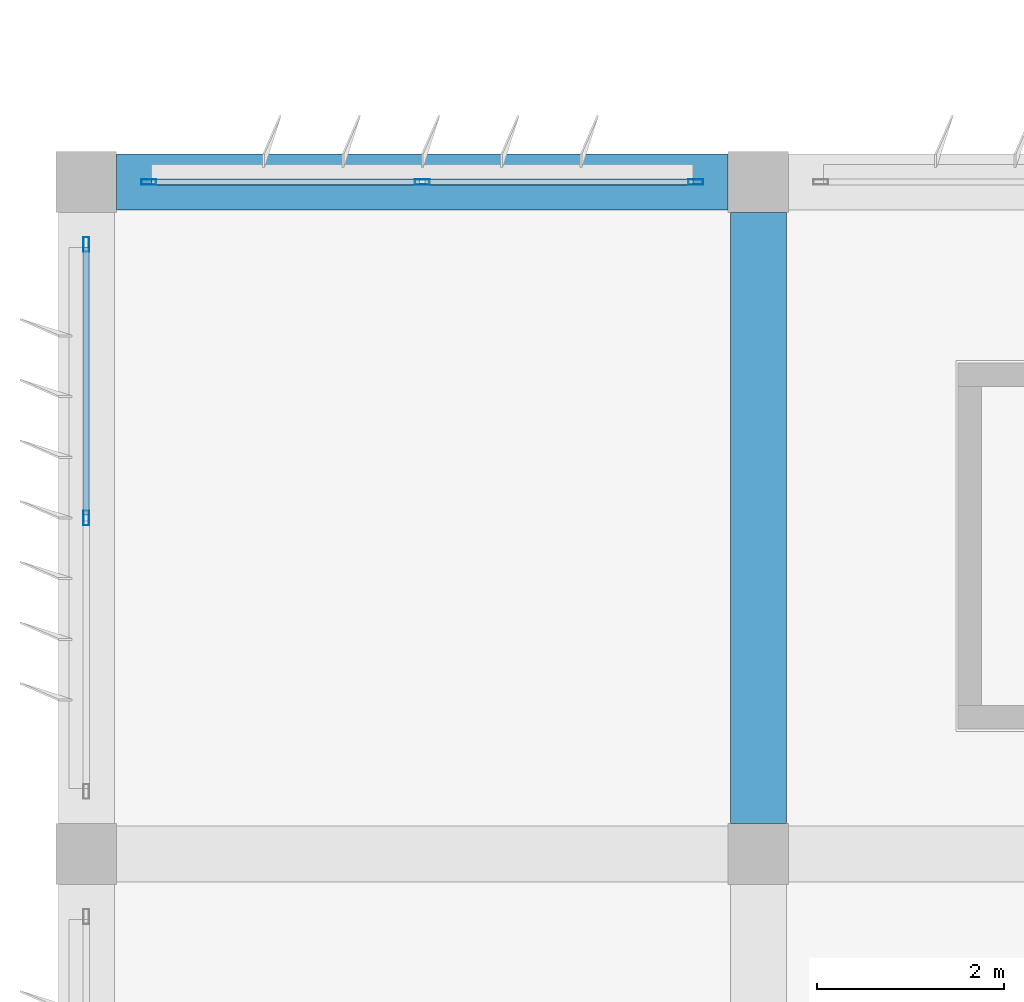
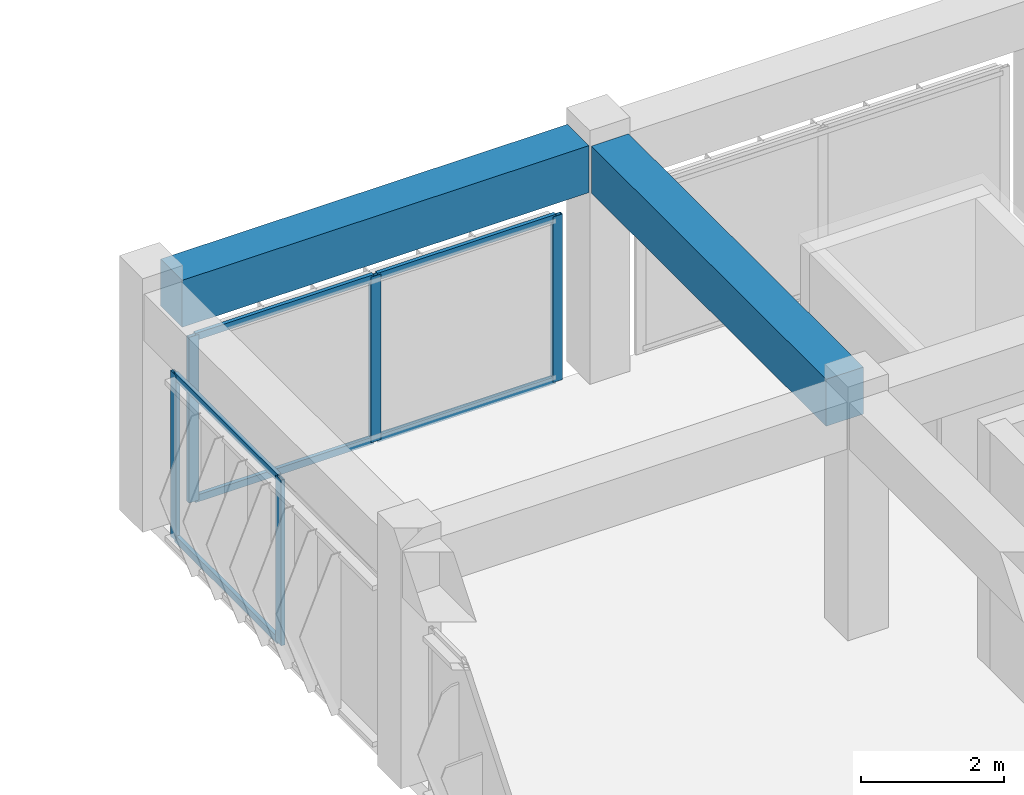
# One storey, part 12 of 53: 11 members, 2 beams, 2 elements without a shape of their own.
"""IFC4 building model written with IfcOpenShell, lengths in metres."""

from ifc_helpers import new_model, si_unit, direction, frame, origin, origin_2d, place, context, subcontext, project, spatial, rectangle, hollow_rectangle, extrude, material, material_profile, profile_set, type_object, element, aggregate, save


model = new_model("IFC4")

# Units and contexts
model_context = context("Model", 3, precision=1e-05, world=origin(), true_north=direction((0.0, 1.0)))
body_context = subcontext(model_context, "Body", "Model", "MODEL_VIEW")
ifc_project = project(units=[si_unit("LENGTHUNIT", "METRE"), si_unit("AREAUNIT", "SQUARE_METRE"), si_unit("VOLUMEUNIT", "CUBIC_METRE"), si_unit("PLANEANGLEUNIT", "RADIAN"), si_unit("MASSUNIT", "GRAM", prefix="KILO")], contexts=[model_context])

# Site, building, storey
site_placement = place(None, origin())
site = spatial("IfcSite", under=ifc_project, at=site_placement, CompositionType="ELEMENT")
building_placement = place(site_placement, origin())
building = spatial("IfcBuilding", under=site, at=building_placement, Name="Kazehaya Institute of Natural Sciences", CompositionType="ELEMENT")
storey_placement = place(building_placement, frame((0.0, 0.0, 33.300048828125)))
storey = spatial("IfcBuildingStorey", under=building, at=storey_placement, Name="L07", CompositionType="ELEMENT", Elevation=33.300048828125)

# Beams
ifc_material_1 = material(Name="Concrete Fc36", Category="concrete")
ifc_material_profile_1 = material_profile(ifc_material_1, rectangle(XDim=0.60009765625, YDim=0.800048828125, at=origin_2d()), Name="RC-600x800")
ifc_profile_set_1 = profile_set([ifc_material_profile_1], Name="Concrete Fc36")
beam_type = type_object("IfcBeamType", Name="BM-G-600x800", PredefinedType="BEAM", material=ifc_profile_set_1)
beam_1_placement = place(storey_placement, frame((54.925048828125, 35.60009765625, 3.64990234375), z_axis=(1.0, 0.0, 0.0), x_axis=(0.0, 1.0, 0.0)))
element("IfcBeam", 1, at=beam_1_placement, inside=storey, type_object=beam_type, Name="L07 primary X girder BMX-L07-546-356", PredefinedType="BEAM", context=body_context, shape_type="SweptSolid", body=[
    extrude(rectangle(XDim=0.60009765625, YDim=0.800048828125, at=origin_2d()), origin(), (0.0, 0.0, 1.0), 6.550048828125),
])
beam_2_placement = place(storey_placement, frame((61.800048828125, 28.72509765625, 3.64990234375), z_axis=(0.0, 1.0, 0.0), x_axis=(-1.0, 0.0, 0.0)))
element("IfcBeam", 2, at=beam_2_placement, inside=storey, type_object=beam_type, Name="L07 primary Y girder BMY-L07-618-284", PredefinedType="BEAM", context=body_context, shape_type="SweptSolid", body=[
    extrude(rectangle(XDim=0.60009765625, YDim=0.800048828125, at=origin_2d()), origin(), (0.0, 0.0, 1.0), 6.5498046875),
])

# Curtain wall, members
ifc_material_2 = material(Name="Aluminium alloy A6063S-T5", Category="aluminium")
curtain_wall_type_1 = type_object("IfcCurtainWallType", Name="CW-SYS-05", PredefinedType="NOTDEFINED", material=ifc_material_2)
curtain_wall_1_placement = place(storey_placement, origin())
curtain_wall_1 = element("IfcCurtainWall", 3, at=curtain_wall_1_placement, inside=storey, type_object=curtain_wall_type_1, Name="L07 unitised curtain wall CW-L07-157", PredefinedType="NOTDEFINED")
ifc_material_profile_2 = material_profile(ifc_material_2, hollow_rectangle(XDim=0.06005859375, YDim=0.159912109375, WallThickness=0.00390625, at=origin_2d()), Name="ALU-60x160x4")
ifc_profile_set_2 = profile_set([ifc_material_profile_2], Name="Aluminium alloy A6063S-T5")
member_type_1 = type_object("IfcMemberType", Name="CWM-160", PredefinedType="MULLION", material=ifc_profile_set_2)
member_1_placement = place(storey_placement, frame((55.27001953125, 35.60009765625, 0.0), z_axis=(0.0, 0.0, 1.0), x_axis=(0.0, 1.0, 0.0)))
member_1 = element("IfcMember", 4, at=member_1_placement, type_object=member_type_1, Name="CW05 mullion 1", PredefinedType="MULLION", context=body_context, shape_type="SweptSolid", body=[
    extrude(hollow_rectangle(XDim=0.06005859375, YDim=0.159912109375, WallThickness=0.00390625, at=origin_2d()), origin(), (0.0, 0.0, 1.0), 2.820068359375),
])
member_2_placement = place(storey_placement, frame((58.199951171875, 35.60009765625, 0.0), z_axis=(0.0, 0.0, 1.0), x_axis=(0.0, 1.0, 0.0)))
member_2 = element("IfcMember", 5, at=member_2_placement, type_object=member_type_1, Name="CW05 mullion 2", PredefinedType="MULLION", context=body_context, shape_type="SweptSolid", body=[
    extrude(hollow_rectangle(XDim=0.06005859375, YDim=0.159912109375, WallThickness=0.00390625, at=origin_2d()), origin(), (0.0, 0.0, 1.0), 2.820068359375),
])
member_3_placement = place(storey_placement, frame((61.1298828125, 35.60009765625, 0.0), z_axis=(0.0, 0.0, 1.0), x_axis=(0.0, 1.0, 0.0)))
member_3 = element("IfcMember", 6, at=member_3_placement, type_object=member_type_1, Name="CW05 mullion 3", PredefinedType="MULLION", context=body_context, shape_type="SweptSolid", body=[
    extrude(hollow_rectangle(XDim=0.06005859375, YDim=0.159912109375, WallThickness=0.00390625, at=origin_2d()), origin(), (0.0, 0.0, 1.0), 2.820068359375),
])

curtain_wall_type_2 = type_object("IfcCurtainWallType", Name="CW-SYS-10", PredefinedType="NOTDEFINED", material=ifc_material_2)
curtain_wall_2_placement = place(storey_placement, origin())
curtain_wall_2 = element("IfcCurtainWall", 7, at=curtain_wall_2_placement, inside=storey, type_object=curtain_wall_type_2, Name="L07 unitised curtain wall CW-L07-174", PredefinedType="NOTDEFINED")
member_4_placement = place(storey_placement, frame((54.60009765625, 32.0, 0.0), z_axis=(0.0, 0.0, 1.0), x_axis=(-1.0, 0.0, 0.0)))
member_4 = element("IfcMember", 8, at=member_4_placement, type_object=member_type_1, Name="CW10 mullion 2", PredefinedType="MULLION", context=body_context, shape_type="SweptSolid", body=[
    extrude(hollow_rectangle(XDim=0.06005859375, YDim=0.159912109375, WallThickness=0.00390625, at=origin_2d()), origin(), (0.0, 0.0, 1.0), 2.820068359375),
])
member_5_placement = place(storey_placement, frame((54.60009765625, 34.929931640625, 0.0), z_axis=(0.0, 0.0, 1.0), x_axis=(-1.0, 0.0, 0.0)))
member_5 = element("IfcMember", 9, at=member_5_placement, type_object=member_type_1, Name="CW10 mullion 3", PredefinedType="MULLION", context=body_context, shape_type="SweptSolid", body=[
    extrude(hollow_rectangle(XDim=0.06005859375, YDim=0.159912109375, WallThickness=0.00390625, at=origin_2d()), origin(), (0.0, 0.0, 1.0), 2.820068359375),
])

# Member
ifc_material_profile_3 = material_profile(ifc_material_2, hollow_rectangle(XDim=0.06005859375, YDim=0.1201171875, WallThickness=0.00341796875, at=origin_2d()), Name="ALU-60x120x3.5")
ifc_profile_set_3 = profile_set([ifc_material_profile_3], Name="Aluminium alloy A6063S-T5")
member_type_2 = type_object("IfcMemberType", Name="CWT-120", PredefinedType="USERDEFINED", material=ifc_profile_set_3)
member_6_placement = place(storey_placement, frame((55.300048828125, 35.60009765625, 0.030029296875), z_axis=(1.0, 0.0, 0.0), x_axis=(0.0, 1.0, 0.0)))
member_6 = element("IfcMember", 10, at=member_6_placement, type_object=member_type_2, Name="CW05 transom 1.1", ObjectType="TRANSOM", PredefinedType="USERDEFINED", context=body_context, shape_type="SweptSolid", body=[
    extrude(hollow_rectangle(XDim=0.06005859375, YDim=0.1201171875, WallThickness=0.00341796875, at=origin_2d()), origin(), (0.0, 0.0, 1.0), 2.869873046875),
])

member_7_placement = place(storey_placement, frame((55.300048828125, 35.60009765625, 2.7900390625), z_axis=(1.0, 0.0, 0.0), x_axis=(0.0, 1.0, 0.0)))
member_7 = element("IfcMember", 11, at=member_7_placement, type_object=member_type_2, Name="CW05 transom 1.2", ObjectType="TRANSOM", PredefinedType="USERDEFINED", context=body_context, shape_type="SweptSolid", body=[
    extrude(hollow_rectangle(XDim=0.06005859375, YDim=0.1201171875, WallThickness=0.00341796875, at=origin_2d()), origin(), (0.0, 0.0, 1.0), 2.869873046875),
])

member_8_placement = place(storey_placement, frame((58.22998046875, 35.60009765625, 0.030029296875), z_axis=(1.0, 0.0, 0.0), x_axis=(0.0, 1.0, 0.0)))
member_8 = element("IfcMember", 12, at=member_8_placement, type_object=member_type_2, Name="CW05 transom 2.1", ObjectType="TRANSOM", PredefinedType="USERDEFINED", context=body_context, shape_type="SweptSolid", body=[
    extrude(hollow_rectangle(XDim=0.06005859375, YDim=0.1201171875, WallThickness=0.00341796875, at=origin_2d()), origin(), (0.0, 0.0, 1.0), 2.8701171875),
])

member_9_placement = place(storey_placement, frame((58.22998046875, 35.60009765625, 2.7900390625), z_axis=(1.0, 0.0, 0.0), x_axis=(0.0, 1.0, 0.0)))
member_9 = element("IfcMember", 13, at=member_9_placement, type_object=member_type_2, Name="CW05 transom 2.2", ObjectType="TRANSOM", PredefinedType="USERDEFINED", context=body_context, shape_type="SweptSolid", body=[
    extrude(hollow_rectangle(XDim=0.06005859375, YDim=0.1201171875, WallThickness=0.00341796875, at=origin_2d()), origin(), (0.0, 0.0, 1.0), 2.8701171875),
])

aggregate(curtain_wall_1, [member_1, member_2, member_3, member_6, member_7, member_8, member_9])

member_10_placement = place(storey_placement, frame((54.60009765625, 32.030029296875, 0.030029296875), z_axis=(0.0, 1.0, 0.0), x_axis=(-1.0, 0.0, 0.0)))
member_10 = element("IfcMember", 14, at=member_10_placement, type_object=member_type_2, Name="CW10 transom 2.1", ObjectType="TRANSOM", PredefinedType="USERDEFINED", context=body_context, shape_type="SweptSolid", body=[
    extrude(hollow_rectangle(XDim=0.06005859375, YDim=0.1201171875, WallThickness=0.00341796875, at=origin_2d()), origin(), (0.0, 0.0, 1.0), 2.869873046875),
])

member_11_placement = place(storey_placement, frame((54.60009765625, 32.030029296875, 2.7900390625), z_axis=(0.0, 1.0, 0.0), x_axis=(-1.0, 0.0, 0.0)))
member_11 = element("IfcMember", 15, at=member_11_placement, type_object=member_type_2, Name="CW10 transom 2.2", ObjectType="TRANSOM", PredefinedType="USERDEFINED", context=body_context, shape_type="SweptSolid", body=[
    extrude(hollow_rectangle(XDim=0.06005859375, YDim=0.1201171875, WallThickness=0.00341796875, at=origin_2d()), origin(), (0.0, 0.0, 1.0), 2.869873046875),
])

aggregate(curtain_wall_2, [member_4, member_5, member_10, member_11])

save(model, "model.ifc")
